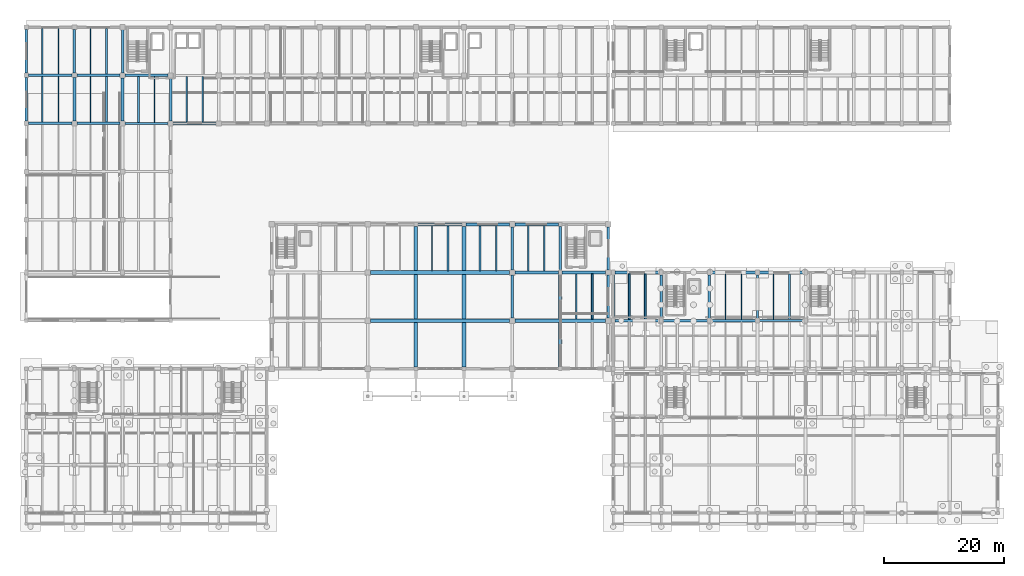
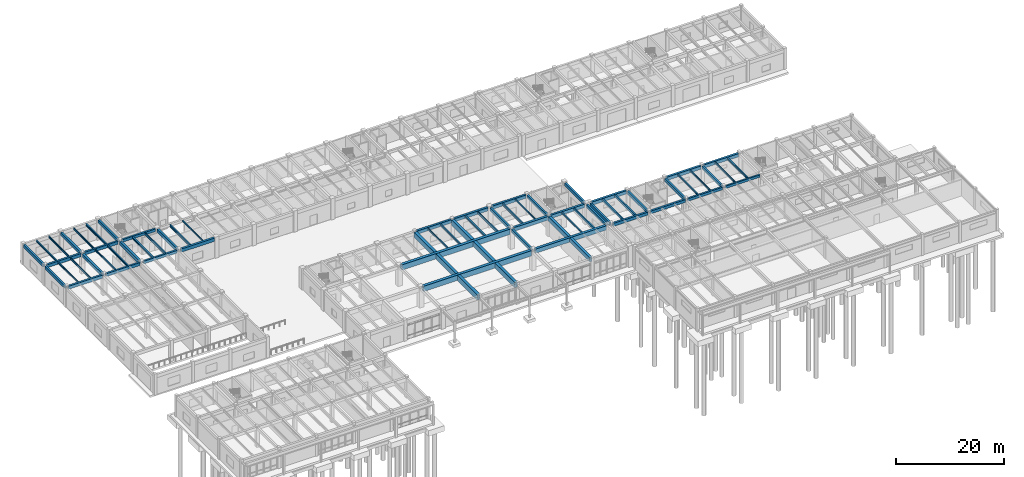
# One storey, part 23 of 64: 67 beams.
"""IFC4 building model written with IfcOpenShell, lengths in metres."""

from ifc_helpers import new_model, si_unit, direction, frame, origin, origin_2d, place, context, subcontext, project, spatial, rectangle, i_section, extrude, material, material_profile, profile_set, type_object, element, save


model = new_model("IFC4")

# Units and contexts
model_context = context("Model", 3, precision=1e-05, world=origin(), true_north=direction((0.0, 1.0)))
body_context = subcontext(model_context, "Body", "Model", "MODEL_VIEW")
ifc_project = project(units=[si_unit("LENGTHUNIT", "METRE"), si_unit("AREAUNIT", "SQUARE_METRE"), si_unit("VOLUMEUNIT", "CUBIC_METRE"), si_unit("PLANEANGLEUNIT", "RADIAN"), si_unit("MASSUNIT", "GRAM", prefix="KILO")], contexts=[model_context])

# Site, building, storey
site_placement = place(None, origin())
site = spatial("IfcSite", under=ifc_project, at=site_placement, CompositionType="ELEMENT")
building_placement = place(site_placement, origin())
building = spatial("IfcBuilding", under=site, at=building_placement, Name="Tlaxcora Railside Police Headquarters", CompositionType="ELEMENT")
storey_placement = place(building_placement, origin())
storey = spatial("IfcBuildingStorey", under=building, at=storey_placement, Name="L00", CompositionType="ELEMENT", Elevation=0.0)

# Beams
ifc_material_1 = material(Name="Concrete C40/50", Category="concrete")
ifc_material_profile_1 = material_profile(ifc_material_1, rectangle(XDim=0.39990234375, YDim=0.64990234375, at=origin_2d()), Name="RC400X650")
ifc_profile_set_1 = profile_set([ifc_material_profile_1], Name="Concrete C40/50")
beam_type_1 = type_object("IfcBeamType", Name="Perimeter Spandrel Beam BM-46", PredefinedType="SPANDREL", material=ifc_profile_set_1)
for number, where, z_axis, x_axis, name in (
    (1, (102.0, 44.43994140625, 4.205078125), (0.0, 1.0, 0.0), (-1.0, 0.0, 0.0), "V1 L00 Y-girder X=102.0"),
    (2, (102.0, 52.43994140625, 4.205078125), (0.0, 1.0, 0.0), (-1.0, 0.0, 0.0), "V1 L00 Y-girder X=102.0"),
):
    element("IfcBeam", number, at=place(storey_placement, frame(where, z_axis=z_axis, x_axis=x_axis)), inside=storey, type_object=beam_type_1, Name=name, PredefinedType="SPANDREL", context=body_context, shape_type="SweptSolid", body=[
        extrude(rectangle(XDim=0.39990234375, YDim=0.64990234375, at=origin_2d()), origin(), (0.0, 0.0, 1.0), 7.1201171875),
    ])
for number, where, z_axis, x_axis, name in (
    (3, (5.199951171875, 77.1650390625, 4.205078125), (0.0, 1.0, 0.0), (-1.0, 0.0, 0.0), "V5 L00 Y-girder X=5.2"),
    (4, (5.199951171875, 85.1650390625, 4.205078125), (0.0, 1.0, 0.0), (-1.0, 0.0, 0.0), "V5 L00 Y-girder X=5.2"),
):
    element("IfcBeam", number, at=place(storey_placement, frame(where, z_axis=z_axis, x_axis=x_axis)), inside=storey, type_object=beam_type_1, Name=name, PredefinedType="SPANDREL", context=body_context, shape_type="SweptSolid", body=[
        extrude(rectangle(XDim=0.39990234375, YDim=0.64990234375, at=origin_2d()), origin(), (0.0, 0.0, 1.0), 7.27001953125),
    ])
beam_1_placement = place(storey_placement, frame((102.800048828125, 44.389892578125, 4.135009765625), z_axis=(0.0, 1.0, 0.0), x_axis=(-1.0, 0.0, 0.0)))
element("IfcBeam", 5, at=beam_1_placement, inside=storey, type_object=beam_type_1, Name="V7 L00 Y-girder X=102.8", PredefinedType="SPANDREL", context=body_context, shape_type="SweptSolid", body=[
    extrude(rectangle(XDim=0.39990234375, YDim=0.64990234375, at=origin_2d()), origin(), (0.0, 0.0, 1.0), 7.22021484375),
])
ifc_material_profile_2 = material_profile(ifc_material_1, rectangle(XDim=0.449951171875, YDim=0.75, at=origin_2d()), Name="RC450X750")
ifc_profile_set_2 = profile_set([ifc_material_profile_2], Name="Concrete C40/50")
beam_type_2 = type_object("IfcBeamType", Name="Perimeter Spandrel Beam BM-86", PredefinedType="SPANDREL", material=ifc_profile_set_2)
beam_2_placement = place(storey_placement, frame((70.31494140625, 60.0, 4.155029296875), z_axis=(1.0, 0.0, 0.0), x_axis=(0.0, 1.0, 0.0)))
element("IfcBeam", 6, at=beam_2_placement, inside=storey, type_object=beam_type_2, Name="V1 L00 X-girder Y=60.0", PredefinedType="SPANDREL", context=body_context, shape_type="SweptSolid", body=[
    extrude(rectangle(XDim=0.449951171875, YDim=0.75, at=origin_2d()), origin(), (0.0, 0.0, 1.0), 7.3701171875),
])
for number, where, z_axis, x_axis, name in (
    (7, (78.31494140625, 60.0, 4.155029296875), (1.0, 0.0, 0.0), (0.0, 1.0, 0.0), "V1 L00 X-girder Y=60.0"),
    (8, (86.43994140625, 60.0, 4.155029296875), (1.0, 0.0, 0.0), (0.0, 1.0, 0.0), "V1 L00 X-girder Y=60.0"),
):
    element("IfcBeam", number, at=place(storey_placement, frame(where, z_axis=z_axis, x_axis=x_axis)), inside=storey, type_object=beam_type_2, Name=name, PredefinedType="SPANDREL", context=body_context, shape_type="SweptSolid", body=[
        extrude(rectangle(XDim=0.449951171875, YDim=0.75, at=origin_2d()), origin(), (0.0, 0.0, 1.0), 7.2451171875),
    ])
beam_3_placement = place(storey_placement, frame((29.614990234375, 76.800048828125, 4.155029296875), z_axis=(1.0, 0.0, 0.0), x_axis=(0.0, 1.0, 0.0)))
element("IfcBeam", 9, at=beam_3_placement, inside=storey, type_object=beam_type_2, Name="V5 L00 X-girder Y=76.8", PredefinedType="SPANDREL", context=body_context, shape_type="SweptSolid", body=[
    extrude(rectangle(XDim=0.449951171875, YDim=0.75, at=origin_2d()), origin(), (0.0, 0.0, 1.0), 7.169921875),
])
for number, where, z_axis, x_axis, name in (
    (10, (103.090087890625, 52.0, 4.0849609375), (1.0, 0.0, 0.0), (0.0, 1.0, 0.0), "V7 L00 X-girder Y=52.0"),
    (11, (119.090087890625, 52.0, 4.0849609375), (1.0, 0.0, 0.0), (0.0, 1.0, 0.0), "V7 L00 X-girder Y=52.0"),
    (12, (127.090087890625, 52.0, 4.0849609375), (1.0, 0.0, 0.0), (0.0, 1.0, 0.0), "V7 L00 X-girder Y=52.0"),
):
    element("IfcBeam", number, at=place(storey_placement, frame(where, z_axis=z_axis, x_axis=x_axis)), inside=storey, type_object=beam_type_2, Name=name, PredefinedType="SPANDREL", context=body_context, shape_type="SweptSolid", body=[
        extrude(rectangle(XDim=0.449951171875, YDim=0.75, at=origin_2d()), origin(), (0.0, 0.0, 1.0), 7.419921875),
    ])
ifc_material_profile_3 = material_profile(ifc_material_1, rectangle(XDim=0.3798828125, YDim=0.60009765625, at=origin_2d()), Name="RC380X600")
ifc_profile_set_3 = profile_set([ifc_material_profile_3], Name="Concrete C40/50")
beam_type_3 = type_object("IfcBeamType", Name="Primary Frame Girder BM-22", PredefinedType="BEAM", material=ifc_profile_set_3)
for number, where, z_axis, x_axis, name in (
    (13, (21.614990234375, 76.800048828125, 4.22998046875), (1.0, 0.0, 0.0), (0.0, 1.0, 0.0), "V5 L00 X-girder Y=76.8"),
    (14, (21.614990234375, 84.800048828125, 4.22998046875), (1.0, 0.0, 0.0), (0.0, 1.0, 0.0), "V5 L00 X-girder Y=84.8"),
):
    element("IfcBeam", number, at=place(storey_placement, frame(where, z_axis=z_axis, x_axis=x_axis)), inside=storey, type_object=beam_type_3, Name=name, PredefinedType="BEAM", context=body_context, shape_type="SweptSolid", body=[
        extrude(rectangle(XDim=0.3798828125, YDim=0.60009765625, at=origin_2d()), origin(), (0.0, 0.0, 1.0), 7.169921875),
    ])
beam_4_placement = place(storey_placement, frame((119.090087890625, 44.0, 4.159912109375), z_axis=(1.0, 0.0, 0.0), x_axis=(0.0, 1.0, 0.0)))
element("IfcBeam", 15, at=beam_4_placement, inside=storey, type_object=beam_type_3, Name="V7 L00 X-girder Y=44.0", PredefinedType="BEAM", context=body_context, shape_type="SweptSolid", body=[
    extrude(rectangle(XDim=0.3798828125, YDim=0.60009765625, at=origin_2d()), origin(), (0.0, 0.0, 1.0), 7.419921875),
])
ifc_material_profile_4 = material_profile(ifc_material_1, rectangle(XDim=0.419921875, YDim=0.699951171875, at=origin_2d()), Name="RC420X700")
ifc_profile_set_4 = profile_set([ifc_material_profile_4], Name="Concrete C40/50")
beam_type_4 = type_object("IfcBeamType", Name="Primary Frame Girder BM-35", PredefinedType="BEAM", material=ifc_profile_set_4)
for number, where, z_axis, x_axis, name in (
    (16, (5.56494140625, 76.800048828125, 4.179931640625), (1.0, 0.0, 0.0), (0.0, 1.0, 0.0), "V5 L00 X-girder Y=76.8"),
    (17, (5.56494140625, 84.800048828125, 4.179931640625), (1.0, 0.0, 0.0), (0.0, 1.0, 0.0), "V5 L00 X-girder Y=84.8"),
):
    element("IfcBeam", number, at=place(storey_placement, frame(where, z_axis=z_axis, x_axis=x_axis)), inside=storey, type_object=beam_type_4, Name=name, PredefinedType="BEAM", context=body_context, shape_type="SweptSolid", body=[
        extrude(rectangle(XDim=0.419921875, YDim=0.699951171875, at=origin_2d()), origin(), (0.0, 0.0, 1.0), 7.2451171875),
    ])
beam_5_placement = place(storey_placement, frame((13.199951171875, 85.18994140625, 4.179931640625), z_axis=(0.0, 1.0, 0.0), x_axis=(-1.0, 0.0, 0.0)))
element("IfcBeam", 18, at=beam_5_placement, inside=storey, type_object=beam_type_4, Name="V5 L00 Y-girder X=13.2", PredefinedType="BEAM", context=body_context, shape_type="SweptSolid", body=[
    extrude(rectangle(XDim=0.419921875, YDim=0.699951171875, at=origin_2d()), origin(), (0.0, 0.0, 1.0), 7.219970703125),
])
beam_6_placement = place(storey_placement, frame((21.199951171875, 85.215087890625, 4.179931640625), z_axis=(0.0, 1.0, 0.0), x_axis=(-1.0, 0.0, 0.0)))
element("IfcBeam", 19, at=beam_6_placement, inside=storey, type_object=beam_type_4, Name="V5 L00 Y-girder X=21.2", PredefinedType="BEAM", context=body_context, shape_type="SweptSolid", body=[
    extrude(rectangle(XDim=0.419921875, YDim=0.699951171875, at=origin_2d()), origin(), (0.0, 0.0, 1.0), 7.169921875),
])
beam_7_placement = place(storey_placement, frame((103.090087890625, 44.0, 4.110107421875), z_axis=(1.0, 0.0, 0.0), x_axis=(0.0, 1.0, 0.0)))
element("IfcBeam", 20, at=beam_7_placement, inside=storey, type_object=beam_type_4, Name="V7 L00 X-girder Y=44.0", PredefinedType="BEAM", context=body_context, shape_type="SweptSolid", body=[
    extrude(rectangle(XDim=0.419921875, YDim=0.699951171875, at=origin_2d()), origin(), (0.0, 0.0, 1.0), 7.419921875),
])
ifc_material_profile_5 = material_profile(ifc_material_1, rectangle(XDim=0.35009765625, YDim=0.550048828125, at=origin_2d()), Name="RC350X550")
ifc_profile_set_5 = profile_set([ifc_material_profile_5], Name="Concrete C40/50")
beam_type_5 = type_object("IfcBeamType", Name="Primary Frame Girder BM-39", PredefinedType="BEAM", material=ifc_profile_set_5)
beam_8_placement = place(storey_placement, frame((127.090087890625, 44.0, 4.18505859375), z_axis=(1.0, 0.0, 0.0), x_axis=(0.0, 1.0, 0.0)))
element("IfcBeam", 21, at=beam_8_placement, inside=storey, type_object=beam_type_5, Name="V7 L00 X-girder Y=44.0", PredefinedType="BEAM", context=body_context, shape_type="SweptSolid", body=[
    extrude(rectangle(XDim=0.35009765625, YDim=0.550048828125, at=origin_2d()), origin(), (0.0, 0.0, 1.0), 7.419921875),
])
ifc_material_profile_6 = material_profile(ifc_material_1, rectangle(XDim=0.39990234375, YDim=0.64990234375, at=origin_2d()), Name="RC400X650")
ifc_profile_set_6 = profile_set([ifc_material_profile_6], Name="Concrete C40/50")
beam_type_6 = type_object("IfcBeamType", Name="Primary Frame Girder BM-41", PredefinedType="BEAM", material=ifc_profile_set_6)
for number, where, z_axis, x_axis, name in (
    (22, (86.0, 44.43994140625, 4.205078125), (0.0, 1.0, 0.0), (-1.0, 0.0, 0.0), "V1 L00 Y-girder X=86.0"),
    (23, (86.0, 52.43994140625, 4.205078125), (0.0, 1.0, 0.0), (-1.0, 0.0, 0.0), "V1 L00 Y-girder X=86.0"),
):
    element("IfcBeam", number, at=place(storey_placement, frame(where, z_axis=z_axis, x_axis=x_axis)), inside=storey, type_object=beam_type_6, Name=name, PredefinedType="BEAM", context=body_context, shape_type="SweptSolid", body=[
        extrude(rectangle(XDim=0.39990234375, YDim=0.64990234375, at=origin_2d()), origin(), (0.0, 0.0, 1.0), 7.1201171875),
    ])
beam_9_placement = place(storey_placement, frame((94.0, 52.31494140625, 4.205078125), z_axis=(0.0, 1.0, 0.0), x_axis=(-1.0, 0.0, 0.0)))
element("IfcBeam", 24, at=beam_9_placement, inside=storey, type_object=beam_type_6, Name="V1 L00 Y-girder X=94.0", PredefinedType="BEAM", context=body_context, shape_type="SweptSolid", body=[
    extrude(rectangle(XDim=0.39990234375, YDim=0.64990234375, at=origin_2d()), origin(), (0.0, 0.0, 1.0), 7.3701171875),
])
for number, where, z_axis, x_axis, name in (
    (25, (13.590087890625, 76.800048828125, 4.205078125), (1.0, 0.0, 0.0), (0.0, 1.0, 0.0), "V5 L00 X-girder Y=76.8"),
    (26, (13.590087890625, 84.800048828125, 4.205078125), (1.0, 0.0, 0.0), (0.0, 1.0, 0.0), "V5 L00 X-girder Y=84.8"),
):
    element("IfcBeam", number, at=place(storey_placement, frame(where, z_axis=z_axis, x_axis=x_axis)), inside=storey, type_object=beam_type_6, Name=name, PredefinedType="BEAM", context=body_context, shape_type="SweptSolid", body=[
        extrude(rectangle(XDim=0.39990234375, YDim=0.64990234375, at=origin_2d()), origin(), (0.0, 0.0, 1.0), 7.19482421875),
    ])
beam_10_placement = place(storey_placement, frame((111.090087890625, 44.0, 4.135009765625), z_axis=(1.0, 0.0, 0.0), x_axis=(0.0, 1.0, 0.0)))
element("IfcBeam", 27, at=beam_10_placement, inside=storey, type_object=beam_type_6, Name="V7 L00 X-girder Y=44.0", PredefinedType="BEAM", context=body_context, shape_type="SweptSolid", body=[
    extrude(rectangle(XDim=0.39990234375, YDim=0.64990234375, at=origin_2d()), origin(), (0.0, 0.0, 1.0), 7.419921875),
])
for number, where, z_axis, x_axis, name in (
    (28, (110.800048828125, 44.389892578125, 4.135009765625), (0.0, 1.0, 0.0), (-1.0, 0.0, 0.0), "V7 L00 Y-girder X=110.8"),
    (29, (118.800048828125, 44.389892578125, 4.135009765625), (0.0, 1.0, 0.0), (-1.0, 0.0, 0.0), "V7 L00 Y-girder X=118.8"),
    (30, (126.800048828125, 44.389892578125, 4.135009765625), (0.0, 1.0, 0.0), (-1.0, 0.0, 0.0), "V7 L00 Y-girder X=126.8"),
):
    element("IfcBeam", number, at=place(storey_placement, frame(where, z_axis=z_axis, x_axis=x_axis)), inside=storey, type_object=beam_type_6, Name=name, PredefinedType="BEAM", context=body_context, shape_type="SweptSolid", body=[
        extrude(rectangle(XDim=0.39990234375, YDim=0.64990234375, at=origin_2d()), origin(), (0.0, 0.0, 1.0), 7.22021484375),
    ])
ifc_material_profile_7 = material_profile(ifc_material_1, rectangle(XDim=0.550048828125, YDim=0.949951171875, at=origin_2d()), Name="RC550X950")
ifc_profile_set_7 = profile_set([ifc_material_profile_7], Name="Concrete C40/50")
beam_type_7 = type_object("IfcBeamType", Name="Primary Frame Girder BM-43", PredefinedType="BEAM", material=ifc_profile_set_7)
beam_11_placement = place(storey_placement, frame((86.43994140625, 44.0, 4.054931640625), z_axis=(1.0, 0.0, 0.0), x_axis=(0.0, 1.0, 0.0)))
element("IfcBeam", 31, at=beam_11_placement, inside=storey, type_object=beam_type_7, Name="V1 L00 X-girder Y=44.0", PredefinedType="BEAM", context=body_context, shape_type="SweptSolid", body=[
    extrude(rectangle(XDim=0.550048828125, YDim=0.949951171875, at=origin_2d()), origin(), (0.0, 0.0, 1.0), 15.1201171875),
])
beam_12_placement = place(storey_placement, frame((94.0, 36.31494140625, 4.054931640625), z_axis=(0.0, 1.0, 0.0), x_axis=(-1.0, 0.0, 0.0)))
element("IfcBeam", 32, at=beam_12_placement, inside=storey, type_object=beam_type_7, Name="V1 L00 Y-girder X=94.0", PredefinedType="BEAM", context=body_context, shape_type="SweptSolid", body=[
    extrude(rectangle(XDim=0.550048828125, YDim=0.949951171875, at=origin_2d()), origin(), (0.0, 0.0, 1.0), 15.3701171875),
])
ifc_material_profile_8 = material_profile(ifc_material_1, rectangle(XDim=0.5, YDim=0.85009765625, at=origin_2d()), Name="RC500X850")
ifc_profile_set_8 = profile_set([ifc_material_profile_8], Name="Concrete C40/50")
beam_type_8 = type_object("IfcBeamType", Name="Primary Frame Girder BM-64", PredefinedType="BEAM", material=ifc_profile_set_8)
beam_13_placement = place(storey_placement, frame((86.43994140625, 52.0, 4.10498046875), z_axis=(1.0, 0.0, 0.0), x_axis=(0.0, 1.0, 0.0)))
element("IfcBeam", 33, at=beam_13_placement, inside=storey, type_object=beam_type_8, Name="V1 L00 X-girder Y=52.0", PredefinedType="BEAM", context=body_context, shape_type="SweptSolid", body=[
    extrude(rectangle(XDim=0.5, YDim=0.85009765625, at=origin_2d()), origin(), (0.0, 0.0, 1.0), 7.2451171875),
])
ifc_material_profile_9 = material_profile(ifc_material_1, rectangle(XDim=0.60009765625, YDim=1.199951171875, at=origin_2d()), Name="RC600X1200")
ifc_profile_set_9 = profile_set([ifc_material_profile_9], Name="Concrete C40/50")
beam_type_9 = type_object("IfcBeamType", Name="Primary Frame Girder BM-68", PredefinedType="BEAM", material=ifc_profile_set_9)
for number, where, z_axis, x_axis, name in (
    (34, (62.43994140625, 44.0, 3.929931640625), (1.0, 0.0, 0.0), (0.0, 1.0, 0.0), "V1 L00 X-girder Y=44.0"),
    (35, (62.43994140625, 52.0, 3.929931640625), (1.0, 0.0, 0.0), (0.0, 1.0, 0.0), "V1 L00 X-girder Y=52.0"),
):
    element("IfcBeam", number, at=place(storey_placement, frame(where, z_axis=z_axis, x_axis=x_axis)), inside=storey, type_object=beam_type_9, Name=name, PredefinedType="BEAM", context=body_context, shape_type="SweptSolid", body=[
        extrude(rectangle(XDim=0.60009765625, YDim=1.199951171875, at=origin_2d()), origin(), (0.0, 0.0, 1.0), 23.1201171875),
    ])
for number, where, z_axis, x_axis, name in (
    (36, (70.0, 36.31494140625, 3.929931640625), (0.0, 1.0, 0.0), (-1.0, 0.0, 0.0), "V1 L00 Y-girder X=70.0"),
    (37, (78.0, 36.31494140625, 3.929931640625), (0.0, 1.0, 0.0), (-1.0, 0.0, 0.0), "V1 L00 Y-girder X=78.0"),
):
    element("IfcBeam", number, at=place(storey_placement, frame(where, z_axis=z_axis, x_axis=x_axis)), inside=storey, type_object=beam_type_9, Name=name, PredefinedType="BEAM", context=body_context, shape_type="SweptSolid", body=[
        extrude(rectangle(XDim=0.60009765625, YDim=1.199951171875, at=origin_2d()), origin(), (0.0, 0.0, 1.0), 23.3701171875),
    ])
ifc_material_profile_10 = material_profile(ifc_material_1, rectangle(XDim=0.449951171875, YDim=0.75, at=origin_2d()), Name="RC450X750")
ifc_profile_set_10 = profile_set([ifc_material_profile_10], Name="Concrete C40/50")
beam_type_10 = type_object("IfcBeamType", Name="Primary Frame Girder BM-73", PredefinedType="BEAM", material=ifc_profile_set_10)
beam_14_placement = place(storey_placement, frame((94.31494140625, 52.0, 4.155029296875), z_axis=(1.0, 0.0, 0.0), x_axis=(0.0, 1.0, 0.0)))
element("IfcBeam", 38, at=beam_14_placement, inside=storey, type_object=beam_type_10, Name="V1 L00 X-girder Y=52.0", PredefinedType="BEAM", context=body_context, shape_type="SweptSolid", body=[
    extrude(rectangle(XDim=0.449951171875, YDim=0.75, at=origin_2d()), origin(), (0.0, 0.0, 1.0), 7.2451171875),
])
beam_15_placement = place(storey_placement, frame((13.199951171875, 77.18994140625, 4.155029296875), z_axis=(0.0, 1.0, 0.0), x_axis=(-1.0, 0.0, 0.0)))
element("IfcBeam", 39, at=beam_15_placement, inside=storey, type_object=beam_type_10, Name="V5 L00 Y-girder X=13.2", PredefinedType="BEAM", context=body_context, shape_type="SweptSolid", body=[
    extrude(rectangle(XDim=0.449951171875, YDim=0.75, at=origin_2d()), origin(), (0.0, 0.0, 1.0), 7.219970703125),
])
for number, where, z_axis, x_axis, name in (
    (40, (21.199951171875, 77.215087890625, 4.155029296875), (0.0, 1.0, 0.0), (-1.0, 0.0, 0.0), "V5 L00 Y-girder X=21.2"),
    (41, (29.199951171875, 77.215087890625, 4.155029296875), (0.0, 1.0, 0.0), (-1.0, 0.0, 0.0), "V5 L00 Y-girder X=29.2"),
):
    element("IfcBeam", number, at=place(storey_placement, frame(where, z_axis=z_axis, x_axis=x_axis)), inside=storey, type_object=beam_type_10, Name=name, PredefinedType="BEAM", context=body_context, shape_type="SweptSolid", body=[
        extrude(rectangle(XDim=0.449951171875, YDim=0.75, at=origin_2d()), origin(), (0.0, 0.0, 1.0), 7.169921875),
    ])
ifc_material_2 = material(Name="Concrete C35/45", Category="concrete")
ifc_material_profile_11 = material_profile(ifc_material_2, rectangle(XDim=0.300048828125, YDim=0.449951171875, at=origin_2d()), Name="RC300X450")
ifc_profile_set_11 = profile_set([ifc_material_profile_11], Name="Concrete C35/45")
beam_type_11 = type_object("IfcBeamType", Name="Secondary Floor Joist BM-27", PredefinedType="JOIST", material=ifc_profile_set_11)
beam_16_placement = place(storey_placement, frame((99.333251953125, 44.26708984375, 4.304931640625), z_axis=(0.0, 1.0, 0.0), x_axis=(-1.0, 0.0, 0.0)))
element("IfcBeam", 42, at=beam_16_placement, inside=storey, type_object=beam_type_11, Name="V1 L00 floor joist X=99.33", PredefinedType="JOIST", context=body_context, shape_type="SweptSolid", body=[
    extrude(rectangle(XDim=0.300048828125, YDim=0.449951171875, at=origin_2d()), origin(), (0.0, 0.0, 1.0), 7.515869140625),
])
beam_17_placement = place(storey_placement, frame((105.466796875, 44.201904296875, 4.235107421875), z_axis=(0.0, 1.0, 0.0), x_axis=(-1.0, 0.0, 0.0)))
element("IfcBeam", 43, at=beam_17_placement, inside=storey, type_object=beam_type_11, Name="V7 L00 floor joist X=105.47", PredefinedType="JOIST", context=body_context, shape_type="SweptSolid", body=[
    extrude(rectangle(XDim=0.300048828125, YDim=0.449951171875, at=origin_2d()), origin(), (0.0, 0.0, 1.0), 7.5810546875),
])
ifc_material_3 = material(Name="Steel ASTM A992 Grade 50", Category="steel")
ifc_material_profile_12 = material_profile(ifc_material_3, i_section(OverallWidth=0.280029296875, OverallDepth=0.4619140625, WebThickness=0.0107421875, FlangeThickness=0.017333984375, at=origin_2d()), Name="W18X76")
ifc_profile_set_12 = profile_set([ifc_material_profile_12], Name="Steel ASTM A992 Grade 50")
beam_type_12 = type_object("IfcBeamType", Name="Secondary Floor Joist BM-44", PredefinedType="JOIST", material=ifc_profile_set_12)
for number, where, z_axis, x_axis, name in (
    (44, (75.333251953125, 52.2919921875, 4.299072265625), (0.0, 1.0, 0.0), (-1.0, 0.0, 0.0), "V1 L00 floor joist X=75.33"),
    (45, (80.666748046875, 52.2919921875, 4.299072265625), (0.0, 1.0, 0.0), (-1.0, 0.0, 0.0), "V1 L00 floor joist X=80.67"),
):
    element("IfcBeam", number, at=place(storey_placement, frame(where, z_axis=z_axis, x_axis=x_axis)), inside=storey, type_object=beam_type_12, Name=name, PredefinedType="JOIST", context=body_context, shape_type="SweptSolid", body=[
        extrude(i_section(OverallWidth=0.280029296875, OverallDepth=0.4619140625, WebThickness=0.0107421875, FlangeThickness=0.017333984375, at=origin_2d()), origin(), (0.0, 0.0, 1.0), 7.490966796875),
    ])
beam_18_placement = place(storey_placement, frame((18.533203125, 76.991943359375, 4.299072265625), z_axis=(0.0, 1.0, 0.0), x_axis=(-1.0, 0.0, 0.0)))
element("IfcBeam", 46, at=beam_18_placement, inside=storey, type_object=beam_type_12, Name="V5 L00 floor joist X=18.53", PredefinedType="JOIST", context=body_context, shape_type="SweptSolid", body=[
    extrude(i_section(OverallWidth=0.280029296875, OverallDepth=0.4619140625, WebThickness=0.0107421875, FlangeThickness=0.017333984375, at=origin_2d()), origin(), (0.0, 0.0, 1.0), 7.615966796875),
])
beam_19_placement = place(storey_placement, frame((23.86669921875, 76.98193359375, 4.299072265625), z_axis=(0.0, 1.0, 0.0), x_axis=(-1.0, 0.0, 0.0)))
element("IfcBeam", 47, at=beam_19_placement, inside=storey, type_object=beam_type_12, Name="V5 L00 floor joist X=23.87", PredefinedType="JOIST", context=body_context, shape_type="SweptSolid", body=[
    extrude(i_section(OverallWidth=0.280029296875, OverallDepth=0.4619140625, WebThickness=0.0107421875, FlangeThickness=0.017333984375, at=origin_2d()), origin(), (0.0, 0.0, 1.0), 7.635986328125),
])
beam_20_placement = place(storey_placement, frame((18.533203125, 84.991943359375, 4.299072265625), z_axis=(0.0, 1.0, 0.0), x_axis=(-1.0, 0.0, 0.0)))
element("IfcBeam", 48, at=beam_20_placement, inside=storey, type_object=beam_type_12, Name="V5 L00 floor joist X=18.53", PredefinedType="JOIST", context=body_context, shape_type="SweptSolid", body=[
    extrude(i_section(OverallWidth=0.280029296875, OverallDepth=0.4619140625, WebThickness=0.0107421875, FlangeThickness=0.017333984375, at=origin_2d()), origin(), (0.0, 0.0, 1.0), 7.591064453125),
])
beam_21_placement = place(storey_placement, frame((132.13330078125, 44.1669921875, 4.22900390625), z_axis=(0.0, 1.0, 0.0), x_axis=(-1.0, 0.0, 0.0)))
element("IfcBeam", 49, at=beam_21_placement, inside=storey, type_object=beam_type_12, Name="V7 L00 floor joist X=132.13", PredefinedType="JOIST", context=body_context, shape_type="SweptSolid", body=[
    extrude(i_section(OverallWidth=0.280029296875, OverallDepth=0.4619140625, WebThickness=0.0107421875, FlangeThickness=0.017333984375, at=origin_2d()), origin(), (0.0, 0.0, 1.0), 7.615966796875),
])
ifc_material_profile_13 = material_profile(ifc_material_3, i_section(OverallWidth=0.2041015625, OverallDepth=0.35009765625, WebThickness=0.008544921875, FlangeThickness=0.01513671875, at=origin_2d()), Name="W14X48")
ifc_profile_set_13 = profile_set([ifc_material_profile_13], Name="Steel ASTM A992 Grade 50")
beam_type_13 = type_object("IfcBeamType", Name="Secondary Floor Joist BM-65", PredefinedType="JOIST", material=ifc_profile_set_13)
beam_22_placement = place(storey_placement, frame((7.86669921875, 77.001953125, 4.35498046875), z_axis=(0.0, 1.0, 0.0), x_axis=(-1.0, 0.0, 0.0)))
element("IfcBeam", 50, at=beam_22_placement, inside=storey, type_object=beam_type_13, Name="V5 L00 floor joist X=7.87", PredefinedType="JOIST", context=body_context, shape_type="SweptSolid", body=[
    extrude(i_section(OverallWidth=0.2041015625, OverallDepth=0.35009765625, WebThickness=0.008544921875, FlangeThickness=0.01513671875, at=origin_2d()), origin(), (0.0, 0.0, 1.0), 7.595947265625),
])
beam_23_placement = place(storey_placement, frame((7.86669921875, 85.001953125, 4.35498046875), z_axis=(0.0, 1.0, 0.0), x_axis=(-1.0, 0.0, 0.0)))
element("IfcBeam", 51, at=beam_23_placement, inside=storey, type_object=beam_type_13, Name="V5 L00 floor joist X=7.87", PredefinedType="JOIST", context=body_context, shape_type="SweptSolid", body=[
    extrude(i_section(OverallWidth=0.2041015625, OverallDepth=0.35009765625, WebThickness=0.008544921875, FlangeThickness=0.01513671875, at=origin_2d()), origin(), (0.0, 0.0, 1.0), 7.5810546875),
])
beam_24_placement = place(storey_placement, frame((121.466796875, 44.181884765625, 4.284912109375), z_axis=(0.0, 1.0, 0.0), x_axis=(-1.0, 0.0, 0.0)))
element("IfcBeam", 52, at=beam_24_placement, inside=storey, type_object=beam_type_13, Name="V7 L00 floor joist X=121.47", PredefinedType="JOIST", context=body_context, shape_type="SweptSolid", body=[
    extrude(i_section(OverallWidth=0.2041015625, OverallDepth=0.35009765625, WebThickness=0.008544921875, FlangeThickness=0.01513671875, at=origin_2d()), origin(), (0.0, 0.0, 1.0), 7.60107421875),
])
ifc_material_profile_14 = material_profile(ifc_material_3, i_section(OverallWidth=0.180908203125, OverallDepth=0.4169921875, WebThickness=0.010009765625, FlangeThickness=0.018310546875, at=origin_2d()), Name="W16X57")
ifc_profile_set_14 = profile_set([ifc_material_profile_14], Name="Steel ASTM A992 Grade 50")
beam_type_14 = type_object("IfcBeamType", Name="Secondary Floor Joist BM-84", PredefinedType="JOIST", material=ifc_profile_set_14)
beam_25_placement = place(storey_placement, frame((72.666748046875, 52.2919921875, 4.321533203125), z_axis=(0.0, 1.0, 0.0), x_axis=(-1.0, 0.0, 0.0)))
element("IfcBeam", 53, at=beam_25_placement, inside=storey, type_object=beam_type_14, Name="V1 L00 floor joist X=72.67", PredefinedType="JOIST", context=body_context, shape_type="SweptSolid", body=[
    extrude(i_section(OverallWidth=0.180908203125, OverallDepth=0.4169921875, WebThickness=0.010009765625, FlangeThickness=0.018310546875, at=origin_2d()), origin(), (0.0, 0.0, 1.0), 7.490966796875),
])
beam_26_placement = place(storey_placement, frame((10.533203125, 77.001953125, 4.321533203125), z_axis=(0.0, 1.0, 0.0), x_axis=(-1.0, 0.0, 0.0)))
element("IfcBeam", 54, at=beam_26_placement, inside=storey, type_object=beam_type_14, Name="V5 L00 floor joist X=10.53", PredefinedType="JOIST", context=body_context, shape_type="SweptSolid", body=[
    extrude(i_section(OverallWidth=0.180908203125, OverallDepth=0.4169921875, WebThickness=0.010009765625, FlangeThickness=0.018310546875, at=origin_2d()), origin(), (0.0, 0.0, 1.0), 7.595947265625),
])
beam_27_placement = place(storey_placement, frame((15.86669921875, 76.991943359375, 4.321533203125), z_axis=(0.0, 1.0, 0.0), x_axis=(-1.0, 0.0, 0.0)))
element("IfcBeam", 55, at=beam_27_placement, inside=storey, type_object=beam_type_14, Name="V5 L00 floor joist X=15.87", PredefinedType="JOIST", context=body_context, shape_type="SweptSolid", body=[
    extrude(i_section(OverallWidth=0.180908203125, OverallDepth=0.4169921875, WebThickness=0.010009765625, FlangeThickness=0.018310546875, at=origin_2d()), origin(), (0.0, 0.0, 1.0), 7.615966796875),
])
beam_28_placement = place(storey_placement, frame((10.533203125, 85.001953125, 4.321533203125), z_axis=(0.0, 1.0, 0.0), x_axis=(-1.0, 0.0, 0.0)))
element("IfcBeam", 56, at=beam_28_placement, inside=storey, type_object=beam_type_14, Name="V5 L00 floor joist X=10.53", PredefinedType="JOIST", context=body_context, shape_type="SweptSolid", body=[
    extrude(i_section(OverallWidth=0.180908203125, OverallDepth=0.4169921875, WebThickness=0.010009765625, FlangeThickness=0.018310546875, at=origin_2d()), origin(), (0.0, 0.0, 1.0), 7.5810546875),
])
beam_29_placement = place(storey_placement, frame((15.86669921875, 84.991943359375, 4.321533203125), z_axis=(0.0, 1.0, 0.0), x_axis=(-1.0, 0.0, 0.0)))
element("IfcBeam", 57, at=beam_29_placement, inside=storey, type_object=beam_type_14, Name="V5 L00 floor joist X=15.87", PredefinedType="JOIST", context=body_context, shape_type="SweptSolid", body=[
    extrude(i_section(OverallWidth=0.180908203125, OverallDepth=0.4169921875, WebThickness=0.010009765625, FlangeThickness=0.018310546875, at=origin_2d()), origin(), (0.0, 0.0, 1.0), 7.591064453125),
])
beam_30_placement = place(storey_placement, frame((124.13330078125, 44.181884765625, 4.25146484375), z_axis=(0.0, 1.0, 0.0), x_axis=(-1.0, 0.0, 0.0)))
element("IfcBeam", 58, at=beam_30_placement, inside=storey, type_object=beam_type_14, Name="V7 L00 floor joist X=124.13", PredefinedType="JOIST", context=body_context, shape_type="SweptSolid", body=[
    extrude(i_section(OverallWidth=0.180908203125, OverallDepth=0.4169921875, WebThickness=0.010009765625, FlangeThickness=0.018310546875, at=origin_2d()), origin(), (0.0, 0.0, 1.0), 7.60107421875),
])
beam_31_placement = place(storey_placement, frame((129.466796875, 44.1669921875, 4.25146484375), z_axis=(0.0, 1.0, 0.0), x_axis=(-1.0, 0.0, 0.0)))
element("IfcBeam", 59, at=beam_31_placement, inside=storey, type_object=beam_type_14, Name="V7 L00 floor joist X=129.47", PredefinedType="JOIST", context=body_context, shape_type="SweptSolid", body=[
    extrude(i_section(OverallWidth=0.180908203125, OverallDepth=0.4169921875, WebThickness=0.010009765625, FlangeThickness=0.018310546875, at=origin_2d()), origin(), (0.0, 0.0, 1.0), 7.615966796875),
])
ifc_material_profile_15 = material_profile(ifc_material_2, rectangle(XDim=0.320068359375, YDim=0.5, at=origin_2d()), Name="RC320X500")
ifc_profile_set_15 = profile_set([ifc_material_profile_15], Name="Concrete C35/45")
beam_type_15 = type_object("IfcBeamType", Name="Secondary Floor Joist BM-88", PredefinedType="JOIST", material=ifc_profile_set_15)
beam_32_placement = place(storey_placement, frame((108.13330078125, 44.201904296875, 4.2099609375), z_axis=(0.0, 1.0, 0.0), x_axis=(-1.0, 0.0, 0.0)))
element("IfcBeam", 60, at=beam_32_placement, inside=storey, type_object=beam_type_15, Name="V7 L00 floor joist X=108.13", PredefinedType="JOIST", context=body_context, shape_type="SweptSolid", body=[
    extrude(rectangle(XDim=0.320068359375, YDim=0.5, at=origin_2d()), origin(), (0.0, 0.0, 1.0), 7.5810546875),
])
ifc_material_profile_16 = material_profile(ifc_material_3, i_section(OverallWidth=0.202880859375, OverallDepth=0.302978515625, WebThickness=0.007568359375, FlangeThickness=0.01318359375, at=origin_2d()), Name="W12X40")
ifc_profile_set_16 = profile_set([ifc_material_profile_16], Name="Steel ASTM A992 Grade 50")
beam_type_16 = type_object("IfcBeamType", Name="Secondary Floor Joist BM-96", PredefinedType="JOIST", material=ifc_profile_set_16)
beam_33_placement = place(storey_placement, frame((96.666748046875, 44.26708984375, 4.37841796875), z_axis=(0.0, 1.0, 0.0), x_axis=(-1.0, 0.0, 0.0)))
element("IfcBeam", 61, at=beam_33_placement, inside=storey, type_object=beam_type_16, Name="V1 L00 floor joist X=96.67", PredefinedType="JOIST", context=body_context, shape_type="SweptSolid", body=[
    extrude(i_section(OverallWidth=0.202880859375, OverallDepth=0.302978515625, WebThickness=0.007568359375, FlangeThickness=0.01318359375, at=origin_2d()), origin(), (0.0, 0.0, 1.0), 7.515869140625),
])
beam_34_placement = place(storey_placement, frame((91.333251953125, 52.241943359375, 4.37841796875), z_axis=(0.0, 1.0, 0.0), x_axis=(-1.0, 0.0, 0.0)))
element("IfcBeam", 62, at=beam_34_placement, inside=storey, type_object=beam_type_16, Name="V1 L00 floor joist X=91.33", PredefinedType="JOIST", context=body_context, shape_type="SweptSolid", body=[
    extrude(i_section(OverallWidth=0.202880859375, OverallDepth=0.302978515625, WebThickness=0.007568359375, FlangeThickness=0.01318359375, at=origin_2d()), origin(), (0.0, 0.0, 1.0), 7.541015625),
])
beam_35_placement = place(storey_placement, frame((34.533203125, 77.01708984375, 4.37841796875), z_axis=(0.0, 1.0, 0.0), x_axis=(-1.0, 0.0, 0.0)))
element("IfcBeam", 63, at=beam_35_placement, inside=storey, type_object=beam_type_16, Name="V5 L00 floor joist X=34.53", PredefinedType="JOIST", context=body_context, shape_type="SweptSolid", body=[
    extrude(i_section(OverallWidth=0.202880859375, OverallDepth=0.302978515625, WebThickness=0.007568359375, FlangeThickness=0.01318359375, at=origin_2d()), origin(), (0.0, 0.0, 1.0), 7.615966796875),
])
ifc_material_profile_17 = material_profile(ifc_material_3, i_section(OverallWidth=0.214111328125, OverallDepth=0.549072265625, WebThickness=0.0146484375, FlangeThickness=0.023681640625, at=origin_2d()), Name="W21X93")
ifc_profile_set_17 = profile_set([ifc_material_profile_17], Name="Steel ASTM A992 Grade 50")
beam_type_17 = type_object("IfcBeamType", Name="Secondary Floor Joist BM-97", PredefinedType="JOIST", material=ifc_profile_set_17)
beam_36_placement = place(storey_placement, frame((83.333251953125, 52.2919921875, 4.255615234375), z_axis=(0.0, 1.0, 0.0), x_axis=(-1.0, 0.0, 0.0)))
element("IfcBeam", 64, at=beam_36_placement, inside=storey, type_object=beam_type_17, Name="V1 L00 floor joist X=83.33", PredefinedType="JOIST", context=body_context, shape_type="SweptSolid", body=[
    extrude(i_section(OverallWidth=0.214111328125, OverallDepth=0.549072265625, WebThickness=0.0146484375, FlangeThickness=0.023681640625, at=origin_2d()), origin(), (0.0, 0.0, 1.0), 7.490966796875),
])
beam_37_placement = place(storey_placement, frame((88.666748046875, 52.241943359375, 4.255615234375), z_axis=(0.0, 1.0, 0.0), x_axis=(-1.0, 0.0, 0.0)))
element("IfcBeam", 65, at=beam_37_placement, inside=storey, type_object=beam_type_17, Name="V1 L00 floor joist X=88.67", PredefinedType="JOIST", context=body_context, shape_type="SweptSolid", body=[
    extrude(i_section(OverallWidth=0.214111328125, OverallDepth=0.549072265625, WebThickness=0.0146484375, FlangeThickness=0.023681640625, at=origin_2d()), origin(), (0.0, 0.0, 1.0), 7.541015625),
])
beam_38_placement = place(storey_placement, frame((26.533203125, 76.98193359375, 4.255615234375), z_axis=(0.0, 1.0, 0.0), x_axis=(-1.0, 0.0, 0.0)))
element("IfcBeam", 66, at=beam_38_placement, inside=storey, type_object=beam_type_17, Name="V5 L00 floor joist X=26.53", PredefinedType="JOIST", context=body_context, shape_type="SweptSolid", body=[
    extrude(i_section(OverallWidth=0.214111328125, OverallDepth=0.549072265625, WebThickness=0.0146484375, FlangeThickness=0.023681640625, at=origin_2d()), origin(), (0.0, 0.0, 1.0), 7.635986328125),
])
beam_39_placement = place(storey_placement, frame((31.86669921875, 77.01708984375, 4.255615234375), z_axis=(0.0, 1.0, 0.0), x_axis=(-1.0, 0.0, 0.0)))
element("IfcBeam", 67, at=beam_39_placement, inside=storey, type_object=beam_type_17, Name="V5 L00 floor joist X=31.87", PredefinedType="JOIST", context=body_context, shape_type="SweptSolid", body=[
    extrude(i_section(OverallWidth=0.214111328125, OverallDepth=0.549072265625, WebThickness=0.0146484375, FlangeThickness=0.023681640625, at=origin_2d()), origin(), (0.0, 0.0, 1.0), 7.615966796875),
])

save(model, "model.ifc")
